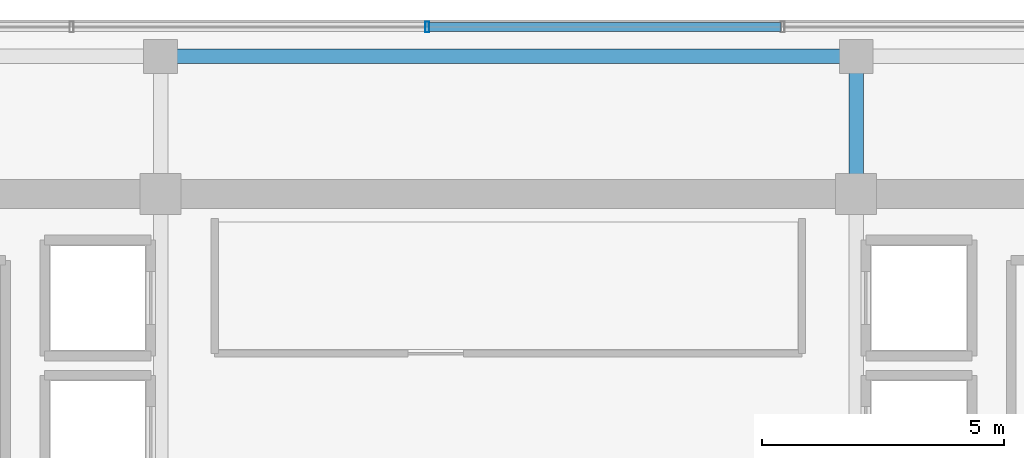
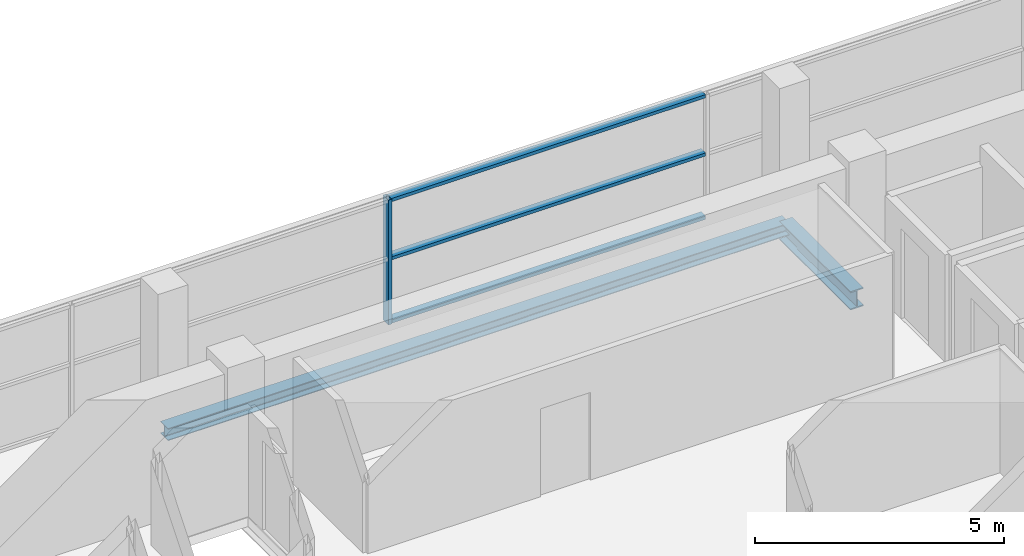
# One storey, part 11 of 22: 4 members, 2 beams, 1 element without a shape of its own.
"""IFC4 building model written with IfcOpenShell, lengths in metres."""

from ifc_helpers import new_model, si_unit, direction, frame, origin, origin_2d, place, context, subcontext, project, spatial, hollow_rectangle, i_section, extrude, source, transform, mapped, material, layer, layer_set, material_profile, profile_set, type_object, element, aggregate, save


model = new_model("IFC4")

# Units and contexts
model_context = context("Model", 3, precision=1e-05, world=origin(), true_north=direction((0.0, 1.0)))
body_context = subcontext(model_context, "Body", "Model", "MODEL_VIEW")
ifc_project = project(units=[si_unit("LENGTHUNIT", "METRE"), si_unit("AREAUNIT", "SQUARE_METRE"), si_unit("VOLUMEUNIT", "CUBIC_METRE"), si_unit("PLANEANGLEUNIT", "RADIAN"), si_unit("MASSUNIT", "GRAM", prefix="KILO")], contexts=[model_context])

# Site, building, storey
site_placement = place(None, origin())
site = spatial("IfcSite", under=ifc_project, at=site_placement, CompositionType="ELEMENT")
building_placement = place(site_placement, origin())
building = spatial("IfcBuilding", under=site, at=building_placement, Name="Zarnakvel Exchange Tower", CompositionType="ELEMENT")
storey_placement = place(building_placement, frame((0.0, 0.0, 251.800048828125)))
storey = spatial("IfcBuildingStorey", under=building, at=storey_placement, Name="L71", CompositionType="ELEMENT", Elevation=251.800048828125)

# Beams
ifc_material_1 = material(Name="Steel S355", Category="steel")
ifc_material_profile_1 = material_profile(ifc_material_1, i_section(OverallWidth=0.300048828125, OverallDepth=0.449951171875, WebThickness=0.013916015625, FlangeThickness=0.02587890625, FilletRadius=0.027099609375, at=origin_2d()))
ifc_profile_set_1 = profile_set([ifc_material_profile_1], Name="Steel S355")
beam_type_1 = type_object("IfcBeamType", Name="G-07", PredefinedType="BEAM", material=ifc_profile_set_1)
beam_1_placement = place(storey_placement, frame((7.199951171875, 13.5, -0.449951171875), z_axis=(0.0, 1.0, 0.0), x_axis=(-1.0, 0.0, 0.0)))
element("IfcBeam", 1, at=beam_1_placement, inside=storey, type_object=beam_type_1, Name="L71 Tower N-S Frame Beam", PredefinedType="BEAM", context=body_context, shape_type="SweptSolid", body=[
    extrude(i_section(OverallWidth=0.300048828125, OverallDepth=0.449951171875, WebThickness=0.013916015625, FlangeThickness=0.02587890625, FilletRadius=0.027099609375, at=origin_2d()), origin(), (0.0, 0.0, 1.0), 2.85009765625),
])
ifc_material_profile_2 = material_profile(ifc_material_1, i_section(OverallWidth=0.300048828125, OverallDepth=0.300048828125, WebThickness=0.010986328125, FlangeThickness=0.01904296875, FilletRadius=0.027099609375, at=origin_2d()))
ifc_profile_set_2 = profile_set([ifc_material_profile_2], Name="Steel S355")
beam_type_2 = type_object("IfcBeamType", Name="SP-03", PredefinedType="SPANDREL", material=ifc_profile_set_2)
beam_2_placement = place(storey_placement, frame((-7.199951171875, 16.35009765625, -0.375), z_axis=(1.0, 0.0, 0.0), x_axis=(0.0, 1.0, 0.0)))
element("IfcBeam", 2, at=beam_2_placement, inside=storey, type_object=beam_type_2, Name="L71 Tower E-W Frame Beam", PredefinedType="SPANDREL", context=body_context, shape_type="SweptSolid", body=[
    extrude(i_section(OverallWidth=0.300048828125, OverallDepth=0.300048828125, WebThickness=0.010986328125, FlangeThickness=0.01904296875, FilletRadius=0.027099609375, at=origin_2d()), origin(), (0.0, 0.0, 1.0), 14.39990234375),
])

# Curtain wall, members
ifc_material_2 = material(Name="Architectural Bronze Anodised Aluminium", Category="aluminium")
ifc_layer = layer(ifc_material_2, 0.219970703125)
ifc_layer_set = layer_set([ifc_layer], Name="Architectural Bronze Anodised Aluminium")
curtain_wall_type = type_object("IfcCurtainWallType", Name="CW-03", PredefinedType="NOTDEFINED", material=ifc_layer_set)
curtain_wall_placement = place(storey_placement, origin())
curtain_wall = element("IfcCurtainWall", 3, at=curtain_wall_placement, inside=storey, type_object=curtain_wall_type, Name="L71 Curtain Wall CW-L71-N1 (CW-03)", PredefinedType="NOTDEFINED")
ifc_material_profile_3 = material_profile(ifc_material_2, hollow_rectangle(XDim=0.219970703125, YDim=0.080078125, WallThickness=0.0048828125, at=origin_2d()))
ifc_profile_set_3 = profile_set([ifc_material_profile_3], Name="Architectural Bronze Anodised Aluminium")
member_type_1 = type_object("IfcMemberType", Name="CWM-03", PredefinedType="MULLION", material=ifc_profile_set_3)
shared_shape_1 = source(origin(), body_context, "Body", "SweptSolid", [
    extrude(hollow_rectangle(XDim=0.219970703125, YDim=0.080078125, WallThickness=0.0048828125, at=origin_2d()), origin(), (0.0, 0.0, 1.0), 3.054931640625),
])
member_1_placement = place(storey_placement, frame((-1.679931640625, 16.9599609375, 0.0), z_axis=(0.0, 0.0, 1.0), x_axis=(0.0, 1.0, 0.0)))
member_1 = element("IfcMember", 4, at=member_1_placement, type_object=member_type_1, Name="CW-03 mullion 3", PredefinedType="MULLION", context=body_context, shape_type="MappedRepresentation", body=[
    mapped(shared_shape_1, transform((0.0, 0.0, 0.0), x_axis=(1.0, 0.0, 0.0), y_axis=(0.0, 1.0, 0.0), z_axis=(0.0, 0.0, 1.0), scale=1.0)),
])
ifc_material_profile_4 = material_profile(ifc_material_2, hollow_rectangle(XDim=0.179931640625, YDim=0.080078125, WallThickness=0.00390625, at=origin_2d()))
ifc_profile_set_4 = profile_set([ifc_material_profile_4], Name="Architectural Bronze Anodised Aluminium")
member_type_2 = type_object("IfcMemberType", Name="CWT-03", PredefinedType="USERDEFINED", material=ifc_profile_set_4)
shared_shape_2 = source(origin(), body_context, "Body", "SweptSolid", [
    extrude(hollow_rectangle(XDim=0.179931640625, YDim=0.080078125, WallThickness=0.00390625, at=origin_2d()), origin(), (0.0, 0.0, 1.0), 7.27978515625),
])
member_2_placement = place(storey_placement, frame((-1.639892578125, 16.9599609375, 0.0400390625), z_axis=(1.0, 0.0, 0.0), x_axis=(0.0, 1.0, 0.0)))
member_2 = element("IfcMember", 5, at=member_2_placement, type_object=member_type_2, Name="CW-03 transom 3.1", ObjectType="TRANSOM", PredefinedType="USERDEFINED", context=body_context, shape_type="MappedRepresentation", body=[
    mapped(shared_shape_2, transform((0.0, 0.0, 0.0), x_axis=(1.0, 0.0, 0.0), y_axis=(0.0, 1.0, 0.0), z_axis=(0.0, 0.0, 1.0), scale=1.0)),
])
member_3_placement = place(storey_placement, frame((-1.639892578125, 16.9599609375, 1.588623046875), z_axis=(1.0, 0.0, 0.0), x_axis=(0.0, 1.0, 0.0)))
member_3 = element("IfcMember", 6, at=member_3_placement, type_object=member_type_2, Name="CW-03 transom 3.2", ObjectType="TRANSOM", PredefinedType="USERDEFINED", context=body_context, shape_type="MappedRepresentation", body=[
    mapped(shared_shape_2, transform((0.0, 0.0, 0.0), x_axis=(1.0, 0.0, 0.0), y_axis=(0.0, 1.0, 0.0), z_axis=(0.0, 0.0, 1.0), scale=1.0)),
])
member_4_placement = place(storey_placement, frame((-1.639892578125, 16.9599609375, 3.014892578125), z_axis=(1.0, 0.0, 0.0), x_axis=(0.0, 1.0, 0.0)))
member_4 = element("IfcMember", 7, at=member_4_placement, type_object=member_type_2, Name="CW-03 transom 3.3", ObjectType="TRANSOM", PredefinedType="USERDEFINED", context=body_context, shape_type="MappedRepresentation", body=[
    mapped(shared_shape_2, transform((0.0, 0.0, 0.0), x_axis=(1.0, 0.0, 0.0), y_axis=(0.0, 1.0, 0.0), z_axis=(0.0, 0.0, 1.0), scale=1.0)),
])
aggregate(curtain_wall, [member_1, member_2, member_3, member_4])

save(model, "model.ifc")
